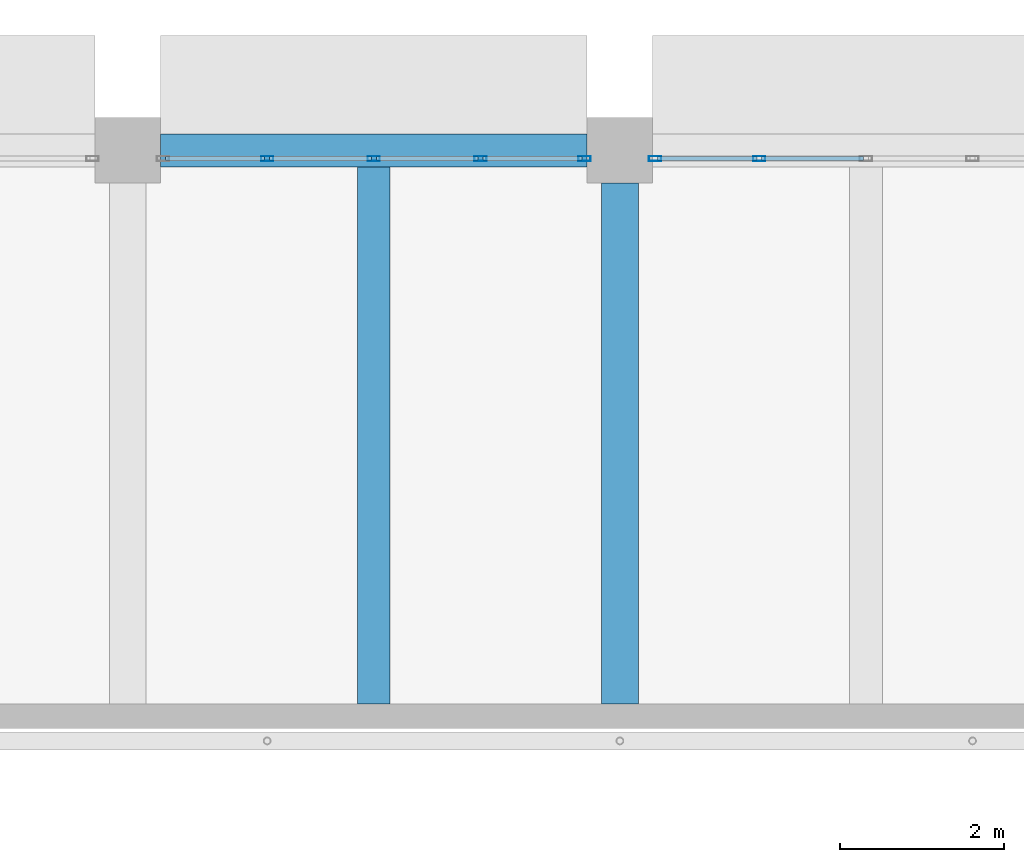
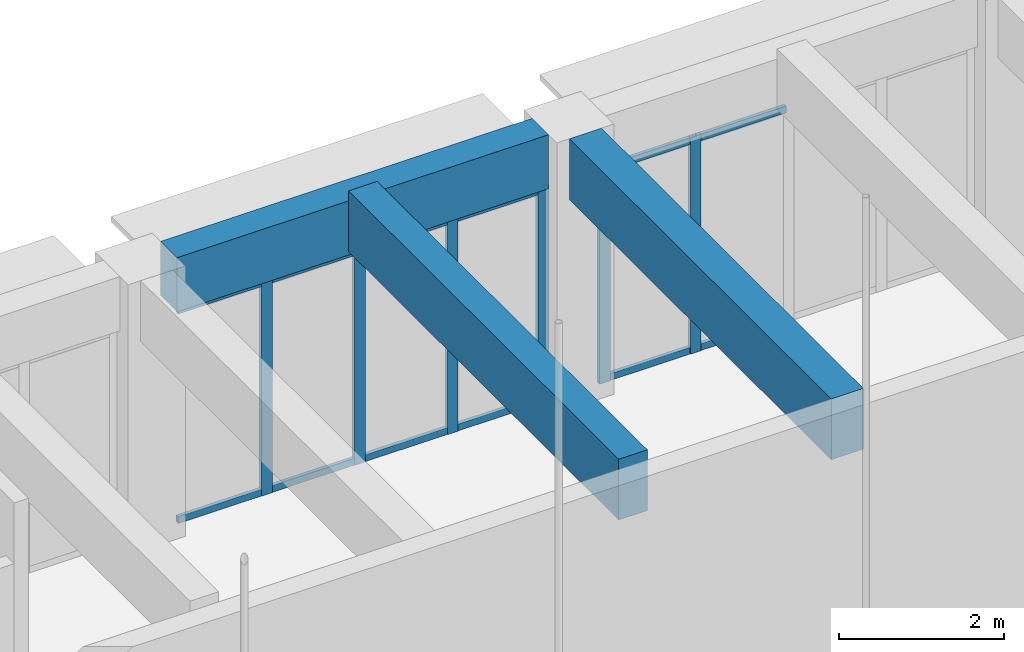
# One storey, part 26 of 101: 18 members, 3 beams, 2 elements without a shape of their own.
"""IFC4 building model written with IfcOpenShell, lengths in metres."""

from ifc_helpers import new_model, si_unit, direction, frame, origin, origin_2d, place, context, subcontext, project, spatial, rectangle, hollow_rectangle, extrude, material, material_profile, profile_set, type_object, element, aggregate, save


model = new_model("IFC4")

# Units and contexts
model_context = context("Model", 3, precision=1e-05, world=origin(), true_north=direction((0.0, 1.0)))
body_context = subcontext(model_context, "Body", "Model", "MODEL_VIEW")
ifc_project = project(units=[si_unit("LENGTHUNIT", "METRE"), si_unit("AREAUNIT", "SQUARE_METRE"), si_unit("VOLUMEUNIT", "CUBIC_METRE"), si_unit("PLANEANGLEUNIT", "RADIAN"), si_unit("MASSUNIT", "GRAM", prefix="KILO")], contexts=[model_context])

# Site, building, storey
site_placement = place(None, origin())
site = spatial("IfcSite", under=ifc_project, at=site_placement, CompositionType="ELEMENT")
building_placement = place(site_placement, origin())
building = spatial("IfcBuilding", under=site, at=building_placement, Name="Laocheng Heights Fire and Rescue Headquarters", CompositionType="ELEMENT")
storey_placement = place(building_placement, frame((0.0, 0.0, 8.39990234375)))
storey = spatial("IfcBuildingStorey", under=building, at=storey_placement, Name="L02", CompositionType="ELEMENT", Elevation=8.39990234375)

# Curtain wall, members
ifc_material_1 = material(Name="Aluminium unitised curtain wall, low-e double glazing", Category="aluminium")
curtain_wall_type = type_object("IfcCurtainWallType", Name="CW 5200 x 3200 GALLERY UNIT", PredefinedType="NOTDEFINED", material=ifc_material_1)
curtain_wall_1_placement = place(storey_placement, origin())
curtain_wall_1 = element("IfcCurtainWall", 1, at=curtain_wall_1_placement, inside=storey, type_object=curtain_wall_type, Name="Gallery north glazing L02", PredefinedType="NOTDEFINED")
ifc_material_2 = material(Name="Aluminium 6063-T5 extrusion", Category="aluminium")
ifc_material_profile_1 = material_profile(ifc_material_2, hollow_rectangle(XDim=0.06005859375, YDim=0.14990234375, WallThickness=0.0029296875, at=origin_2d()), Name="AL MULLION 150x60x3")
ifc_profile_set_1 = profile_set([ifc_material_profile_1], Name="Aluminium 6063-T5 extrusion")
member_type_1 = type_object("IfcMemberType", Name="AL CURTAIN WALL MULLION 150x60x3", PredefinedType="MULLION", material=ifc_profile_set_1)
member_1_placement = place(storey_placement, frame((31.699951171875, 28.699951171875, 0.0), z_axis=(0.0, 0.0, 1.0), x_axis=(0.0, 1.0, 0.0)))
member_1 = element("IfcMember", 2, at=member_1_placement, type_object=member_type_1, Name="X4-E mullion 2", PredefinedType="MULLION", context=body_context, shape_type="SweptSolid", body=[
    extrude(hollow_rectangle(XDim=0.06005859375, YDim=0.14990234375, WallThickness=0.0029296875, at=origin_2d()), origin(), (0.0, 0.0, 1.0), 3.2001953125),
])
member_2_placement = place(storey_placement, frame((33.0, 28.699951171875, 0.0), z_axis=(0.0, 0.0, 1.0), x_axis=(0.0, 1.0, 0.0)))
member_2 = element("IfcMember", 3, at=member_2_placement, type_object=member_type_1, Name="X4-E mullion 3", PredefinedType="MULLION", context=body_context, shape_type="SweptSolid", body=[
    extrude(hollow_rectangle(XDim=0.06005859375, YDim=0.14990234375, WallThickness=0.0029296875, at=origin_2d()), origin(), (0.0, 0.0, 1.0), 3.2001953125),
])
member_3_placement = place(storey_placement, frame((34.300048828125, 28.699951171875, 0.0), z_axis=(0.0, 0.0, 1.0), x_axis=(0.0, 1.0, 0.0)))
member_3 = element("IfcMember", 4, at=member_3_placement, type_object=member_type_1, Name="X4-E mullion 4", PredefinedType="MULLION", context=body_context, shape_type="SweptSolid", body=[
    extrude(hollow_rectangle(XDim=0.06005859375, YDim=0.14990234375, WallThickness=0.0029296875, at=origin_2d()), origin(), (0.0, 0.0, 1.0), 3.2001953125),
])
member_4_placement = place(storey_placement, frame((35.570068359375, 28.699951171875, 0.0), z_axis=(0.0, 0.0, 1.0), x_axis=(0.0, 1.0, 0.0)))
member_4 = element("IfcMember", 5, at=member_4_placement, type_object=member_type_1, Name="X4-E mullion 5", PredefinedType="MULLION", context=body_context, shape_type="SweptSolid", body=[
    extrude(hollow_rectangle(XDim=0.06005859375, YDim=0.14990234375, WallThickness=0.0029296875, at=origin_2d()), origin(), (0.0, 0.0, 1.0), 3.2001953125),
])

curtain_wall_2_placement = place(storey_placement, origin())
curtain_wall_2 = element("IfcCurtainWall", 6, at=curtain_wall_2_placement, inside=storey, type_object=curtain_wall_type, Name="Gallery north glazing L02", PredefinedType="NOTDEFINED")
member_5_placement = place(storey_placement, frame((36.429931640625, 28.699951171875, 0.0), z_axis=(0.0, 0.0, 1.0), x_axis=(0.0, 1.0, 0.0)))
member_5 = element("IfcMember", 7, at=member_5_placement, type_object=member_type_1, Name="X4-E mullion 1", PredefinedType="MULLION", context=body_context, shape_type="SweptSolid", body=[
    extrude(hollow_rectangle(XDim=0.06005859375, YDim=0.14990234375, WallThickness=0.0029296875, at=origin_2d()), origin(), (0.0, 0.0, 1.0), 3.2001953125),
])
member_6_placement = place(storey_placement, frame((37.699951171875, 28.699951171875, 0.0), z_axis=(0.0, 0.0, 1.0), x_axis=(0.0, 1.0, 0.0)))
member_6 = element("IfcMember", 8, at=member_6_placement, type_object=member_type_1, Name="X4-E mullion 2", PredefinedType="MULLION", context=body_context, shape_type="SweptSolid", body=[
    extrude(hollow_rectangle(XDim=0.06005859375, YDim=0.14990234375, WallThickness=0.0029296875, at=origin_2d()), origin(), (0.0, 0.0, 1.0), 3.2001953125),
])

# Member
ifc_material_3 = material(Name="Aluminium 6063-T5 extrusion", Category="aluminium")
ifc_material_profile_2 = material_profile(ifc_material_3, hollow_rectangle(XDim=0.050048828125, YDim=0.10009765625, WallThickness=0.0029296875, at=origin_2d()), Name="AL TRANSOM 100x50x3")
ifc_profile_set_2 = profile_set([ifc_material_profile_2], Name="Aluminium 6063-T5 extrusion")
member_type_2 = type_object("IfcMemberType", Name="AL CURTAIN WALL TRANSOM 100x50x3", PredefinedType="USERDEFINED", material=ifc_profile_set_2)
member_7_placement = place(storey_placement, frame((30.4599609375, 28.699951171875, 0.050048828125), z_axis=(1.0, 0.0, 0.0), x_axis=(0.0, 1.0, 0.0)))
member_7 = element("IfcMember", 9, at=member_7_placement, type_object=member_type_2, Name="X4-E transom 1.1", ObjectType="TRANSOM", PredefinedType="USERDEFINED", context=body_context, shape_type="SweptSolid", body=[
    extrude(hollow_rectangle(XDim=0.050048828125, YDim=0.10009765625, WallThickness=0.0029296875, at=origin_2d()), origin(), (0.0, 0.0, 1.0), 1.2099609375),
])

member_8_placement = place(storey_placement, frame((30.4599609375, 28.699951171875, 3.150146484375), z_axis=(1.0, 0.0, 0.0), x_axis=(0.0, 1.0, 0.0)))
member_8 = element("IfcMember", 10, at=member_8_placement, type_object=member_type_2, Name="X4-E transom 1.2", ObjectType="TRANSOM", PredefinedType="USERDEFINED", context=body_context, shape_type="SweptSolid", body=[
    extrude(hollow_rectangle(XDim=0.050048828125, YDim=0.10009765625, WallThickness=0.0029296875, at=origin_2d()), origin(), (0.0, 0.0, 1.0), 1.2099609375),
])

member_9_placement = place(storey_placement, frame((31.72998046875, 28.699951171875, 0.050048828125), z_axis=(1.0, 0.0, 0.0), x_axis=(0.0, 1.0, 0.0)))
member_9 = element("IfcMember", 11, at=member_9_placement, type_object=member_type_2, Name="X4-E transom 2.1", ObjectType="TRANSOM", PredefinedType="USERDEFINED", context=body_context, shape_type="SweptSolid", body=[
    extrude(hollow_rectangle(XDim=0.050048828125, YDim=0.10009765625, WallThickness=0.0029296875, at=origin_2d()), origin(), (0.0, 0.0, 1.0), 1.239990234375),
])

member_10_placement = place(storey_placement, frame((31.72998046875, 28.699951171875, 3.150146484375), z_axis=(1.0, 0.0, 0.0), x_axis=(0.0, 1.0, 0.0)))
member_10 = element("IfcMember", 12, at=member_10_placement, type_object=member_type_2, Name="X4-E transom 2.2", ObjectType="TRANSOM", PredefinedType="USERDEFINED", context=body_context, shape_type="SweptSolid", body=[
    extrude(hollow_rectangle(XDim=0.050048828125, YDim=0.10009765625, WallThickness=0.0029296875, at=origin_2d()), origin(), (0.0, 0.0, 1.0), 1.239990234375),
])

member_11_placement = place(storey_placement, frame((33.030029296875, 28.699951171875, 0.050048828125), z_axis=(1.0, 0.0, 0.0), x_axis=(0.0, 1.0, 0.0)))
member_11 = element("IfcMember", 13, at=member_11_placement, type_object=member_type_2, Name="X4-E transom 3.1", ObjectType="TRANSOM", PredefinedType="USERDEFINED", context=body_context, shape_type="SweptSolid", body=[
    extrude(hollow_rectangle(XDim=0.050048828125, YDim=0.10009765625, WallThickness=0.0029296875, at=origin_2d()), origin(), (0.0, 0.0, 1.0), 1.239990234375),
])

member_12_placement = place(storey_placement, frame((33.030029296875, 28.699951171875, 3.150146484375), z_axis=(1.0, 0.0, 0.0), x_axis=(0.0, 1.0, 0.0)))
member_12 = element("IfcMember", 14, at=member_12_placement, type_object=member_type_2, Name="X4-E transom 3.2", ObjectType="TRANSOM", PredefinedType="USERDEFINED", context=body_context, shape_type="SweptSolid", body=[
    extrude(hollow_rectangle(XDim=0.050048828125, YDim=0.10009765625, WallThickness=0.0029296875, at=origin_2d()), origin(), (0.0, 0.0, 1.0), 1.239990234375),
])

member_13_placement = place(storey_placement, frame((34.330078125, 28.699951171875, 0.050048828125), z_axis=(1.0, 0.0, 0.0), x_axis=(0.0, 1.0, 0.0)))
member_13 = element("IfcMember", 15, at=member_13_placement, type_object=member_type_2, Name="X4-E transom 4.1", ObjectType="TRANSOM", PredefinedType="USERDEFINED", context=body_context, shape_type="SweptSolid", body=[
    extrude(hollow_rectangle(XDim=0.050048828125, YDim=0.10009765625, WallThickness=0.0029296875, at=origin_2d()), origin(), (0.0, 0.0, 1.0), 1.2099609375),
])

member_14_placement = place(storey_placement, frame((34.330078125, 28.699951171875, 3.150146484375), z_axis=(1.0, 0.0, 0.0), x_axis=(0.0, 1.0, 0.0)))
member_14 = element("IfcMember", 16, at=member_14_placement, type_object=member_type_2, Name="X4-E transom 4.2", ObjectType="TRANSOM", PredefinedType="USERDEFINED", context=body_context, shape_type="SweptSolid", body=[
    extrude(hollow_rectangle(XDim=0.050048828125, YDim=0.10009765625, WallThickness=0.0029296875, at=origin_2d()), origin(), (0.0, 0.0, 1.0), 1.2099609375),
])

aggregate(curtain_wall_1, [member_1, member_2, member_3, member_4, member_7, member_8, member_9, member_10, member_11, member_12, member_13, member_14])

member_15_placement = place(storey_placement, frame((36.4599609375, 28.699951171875, 0.050048828125), z_axis=(1.0, 0.0, 0.0), x_axis=(0.0, 1.0, 0.0)))
member_15 = element("IfcMember", 17, at=member_15_placement, type_object=member_type_2, Name="X4-E transom 1.1", ObjectType="TRANSOM", PredefinedType="USERDEFINED", context=body_context, shape_type="SweptSolid", body=[
    extrude(hollow_rectangle(XDim=0.050048828125, YDim=0.10009765625, WallThickness=0.0029296875, at=origin_2d()), origin(), (0.0, 0.0, 1.0), 1.2099609375),
])

member_16_placement = place(storey_placement, frame((36.4599609375, 28.699951171875, 3.150146484375), z_axis=(1.0, 0.0, 0.0), x_axis=(0.0, 1.0, 0.0)))
member_16 = element("IfcMember", 18, at=member_16_placement, type_object=member_type_2, Name="X4-E transom 1.2", ObjectType="TRANSOM", PredefinedType="USERDEFINED", context=body_context, shape_type="SweptSolid", body=[
    extrude(hollow_rectangle(XDim=0.050048828125, YDim=0.10009765625, WallThickness=0.0029296875, at=origin_2d()), origin(), (0.0, 0.0, 1.0), 1.2099609375),
])

member_17_placement = place(storey_placement, frame((37.72998046875, 28.699951171875, 0.050048828125), z_axis=(1.0, 0.0, 0.0), x_axis=(0.0, 1.0, 0.0)))
member_17 = element("IfcMember", 19, at=member_17_placement, type_object=member_type_2, Name="X4-E transom 2.1", ObjectType="TRANSOM", PredefinedType="USERDEFINED", context=body_context, shape_type="SweptSolid", body=[
    extrude(hollow_rectangle(XDim=0.050048828125, YDim=0.10009765625, WallThickness=0.0029296875, at=origin_2d()), origin(), (0.0, 0.0, 1.0), 1.239990234375),
])

member_18_placement = place(storey_placement, frame((37.72998046875, 28.699951171875, 3.150146484375), z_axis=(1.0, 0.0, 0.0), x_axis=(0.0, 1.0, 0.0)))
member_18 = element("IfcMember", 20, at=member_18_placement, type_object=member_type_2, Name="X4-E transom 2.2", ObjectType="TRANSOM", PredefinedType="USERDEFINED", context=body_context, shape_type="SweptSolid", body=[
    extrude(hollow_rectangle(XDim=0.050048828125, YDim=0.10009765625, WallThickness=0.0029296875, at=origin_2d()), origin(), (0.0, 0.0, 1.0), 1.239990234375),
])

aggregate(curtain_wall_2, [member_5, member_6, member_15, member_16, member_17, member_18])

# Beams
ifc_material_4 = material(Name="Concrete C40", Category="concrete")
ifc_material_profile_3 = material_profile(ifc_material_4, rectangle(XDim=0.39990234375, YDim=0.800048828125, at=origin_2d()), Name="RC BEAM 400x800 GALLERY FLOOR")
ifc_profile_set_3 = profile_set([ifc_material_profile_3], Name="Concrete C40")
beam_type_1 = type_object("IfcBeamType", Name="RC BEAM 400x800 GALLERY FLOOR", PredefinedType="BEAM", material=ifc_profile_set_3)
beam_1_placement = place(storey_placement, frame((30.39990234375, 28.800048828125, 3.60009765625), z_axis=(1.0, 0.0, 0.0), x_axis=(0.0, 1.0, 0.0)))
element("IfcBeam", 21, at=beam_1_placement, inside=storey, type_object=beam_type_1, Name="Gallery floor beam", PredefinedType="BEAM", context=body_context, shape_type="SweptSolid", body=[
    extrude(rectangle(XDim=0.39990234375, YDim=0.800048828125, at=origin_2d()), origin(), (0.0, 0.0, 1.0), 5.2001953125),
])
ifc_material_5 = material(Name="Concrete C50", Category="concrete")
ifc_material_profile_4 = material_profile(ifc_material_5, rectangle(XDim=0.39990234375, YDim=0.89990234375, at=origin_2d()), Name="RC BEAM 400x900 TRANSFER SECONDARY")
ifc_profile_set_4 = profile_set([ifc_material_profile_4], Name="Concrete C50")
beam_type_2 = type_object("IfcBeamType", Name="RC BEAM 400x900 TRANSFER SECONDARY", PredefinedType="BEAM", material=ifc_profile_set_4)
beam_2_placement = place(storey_placement, frame((33.0, 22.050048828125, 3.7001953125), z_axis=(0.0, 1.0, 0.0), x_axis=(-1.0, 0.0, 0.0)))
element("IfcBeam", 22, at=beam_2_placement, inside=storey, type_object=beam_type_2, Name="Gallery secondary beam", PredefinedType="BEAM", context=body_context, shape_type="SweptSolid", body=[
    extrude(rectangle(XDim=0.39990234375, YDim=0.89990234375, at=origin_2d()), origin(), (0.0, 0.0, 1.0), 6.550048828125),
])
ifc_material_6 = material(Name="Concrete C40", Category="concrete")
ifc_material_profile_5 = material_profile(ifc_material_6, rectangle(XDim=0.449951171875, YDim=0.89990234375, at=origin_2d()), Name="RC BEAM 450x900 GALLERY FLOOR")
ifc_profile_set_5 = profile_set([ifc_material_profile_5], Name="Concrete C40")
beam_type_3 = type_object("IfcBeamType", Name="RC BEAM 450x900 GALLERY FLOOR", PredefinedType="BEAM", material=ifc_profile_set_5)
beam_3_placement = place(storey_placement, frame((36.0, 22.050048828125, 3.550048828125), z_axis=(0.0, 1.0, 0.0), x_axis=(-1.0, 0.0, 0.0)))
element("IfcBeam", 23, at=beam_3_placement, inside=storey, type_object=beam_type_3, Name="Gallery beam on south wall", PredefinedType="BEAM", context=body_context, shape_type="SweptSolid", body=[
    extrude(rectangle(XDim=0.449951171875, YDim=0.89990234375, at=origin_2d()), origin(), (0.0, 0.0, 1.0), 6.349853515625),
])

save(model, "model.ifc")
